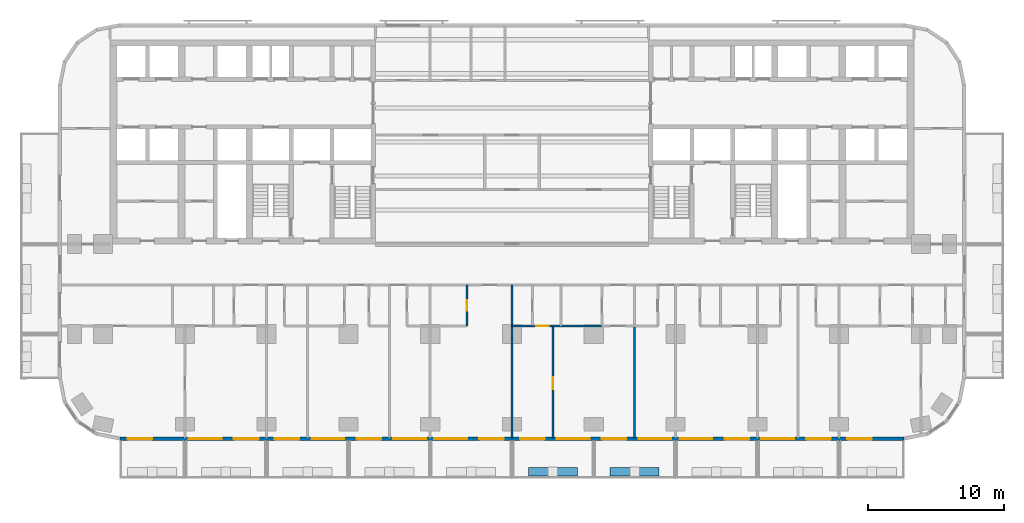
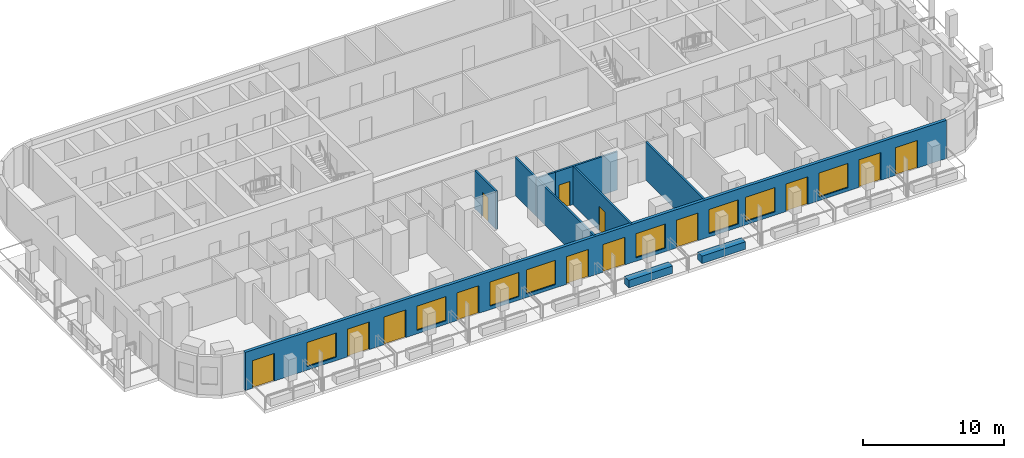
# One storey, part 5 of 15: 13 doors, 10 walls, 8 windows, 21 openings.
"""IFC4 building model written with IfcOpenShell, lengths in metres."""

from ifc_helpers import new_model, si_unit, direction, frame, frame_2d, origin, place, context, subcontext, project, spatial, rectangle, extrude, material, layer, layer_set, type_object, element, fill, save


model = new_model("IFC4")

# Units and contexts
model_context = context("Model", 3, precision=1e-05, world=origin(), true_north=direction((0.0, 1.0)))
body_context = subcontext(model_context, "Body", "Model", "MODEL_VIEW")
ifc_project = project(units=[si_unit("LENGTHUNIT", "METRE"), si_unit("AREAUNIT", "SQUARE_METRE"), si_unit("VOLUMEUNIT", "CUBIC_METRE"), si_unit("PLANEANGLEUNIT", "RADIAN"), si_unit("MASSUNIT", "GRAM", prefix="KILO")], contexts=[model_context])

# Site, building, storey
site_placement = place(None, origin())
site = spatial("IfcSite", under=ifc_project, at=site_placement, CompositionType="ELEMENT")
building_placement = place(site_placement, origin())
building = spatial("IfcBuilding", under=site, at=building_placement, Name="Torana Hotel and Residences", CompositionType="ELEMENT")
storey_placement = place(building_placement, frame((0.0, 0.0, 70.800048828125)))
storey = spatial("IfcBuildingStorey", under=building, at=storey_placement, Name="L17", CompositionType="ELEMENT", Elevation=70.800048828125)

# Wall, openings, doors, windows
ifc_material_1 = material(Name="Black aluminium composite panel", Category="aluminium")
ifc_layer_1 = layer(ifc_material_1, 0.00390625, Name="Cladding", Category="cladding")
ifc_material_2 = material(Name="Ventilated air cavity")
ifc_layer_2 = layer(ifc_material_2, 0.0400390625, Name="Ventilated cavity", Category="cavity")
ifc_material_3 = material(Name="Mineral wool insulation")
ifc_layer_3 = layer(ifc_material_3, 0.090087890625, Name="Insulation", Category="insulation")
ifc_material_4 = material(Name="Steel S280GD", Category="steel")
ifc_layer_4 = layer(ifc_material_4, 0.092041015625, Name="Steel stud frame", Category="structure")
ifc_material_5 = material(Name="Fire rated plasterboard")
ifc_layer_5 = layer(ifc_material_5, 0.011962890625, Name="Inner board", Category="finish")
ifc_layer_6 = layer(ifc_material_5, 0.011962890625, Name="Second board", Category="finish")
ifc_layer_set_1 = layer_set([ifc_layer_1, ifc_layer_2, ifc_layer_3, ifc_layer_4, ifc_layer_5, ifc_layer_6], Name="EW1 EXTERNAL WALL BLACK METAL CLAD 250")
wall_type_1 = type_object("IfcWallType", Name="EW1 EXTERNAL WALL BLACK METAL CLAD 250", PredefinedType="SOLIDWALL", material=ifc_layer_set_1)
wall_1_placement = place(storey_placement, frame((-28.775390625, -29.27490234375, 0.0), z_axis=(0.0, 0.0, 1.0), x_axis=(1.0, 0.0, 0.0)))
wall_1 = element("IfcWall", 1, at=wall_1_placement, inside=storey, type_object=wall_type_1, Name="External wall L17 e0.14", PredefinedType="SOLIDWALL", context=body_context, shape_type="SweptSolid", body=[
    extrude(rectangle(XDim=57.55078125, YDim=0.25, at=frame_2d((28.775390625, 0.0))), origin(), (0.0, 0.0, 1.0), 3.320068359375),
])
opening_1_placement = place(wall_1_placement, frame((0.575439453125, 0.0, 0.0)))
opening_1 = element("IfcOpeningElement", 2, at=opening_1_placement, cuts=wall_1, Name="Opening L17-E01", PredefinedType="OPENING", context=body_context, shape_type="SweptSolid", body=[
    extrude(rectangle(XDim=1.800048828125, YDim=2.39990234375, at=frame_2d((0.89990234375, 1.199951171875))), frame((0.0, 0.135009765625, 0.0), z_axis=(0.0, -1.0, 0.0), x_axis=(1.0, 0.0, 0.0)), (0.0, 0.0, 1.0), 0.27001953125),
])
opening_2_placement = place(wall_1_placement, frame((5.075439453125, 0.0, 0.300048828125)))
opening_2 = element("IfcOpeningElement", 3, at=opening_2_placement, cuts=wall_1, Name="Opening W1", PredefinedType="OPENING", context=body_context, shape_type="SweptSolid", body=[
    extrude(rectangle(XDim=2.39990234375, YDim=2.10009765625, at=frame_2d((1.199951171875, 1.050048828125))), frame((0.0, 0.135009765625, 0.0), z_axis=(0.0, -1.0, 0.0), x_axis=(1.0, 0.0, 0.0)), (0.0, 0.0, 1.0), 0.27001953125),
])
opening_3_placement = place(wall_1_placement, frame((8.37548828125, 0.0, 0.0)))
opening_3 = element("IfcOpeningElement", 4, at=opening_3_placement, cuts=wall_1, Name="Opening L17-E02", PredefinedType="OPENING", context=body_context, shape_type="SweptSolid", body=[
    extrude(rectangle(XDim=1.800048828125, YDim=2.39990234375, at=frame_2d((0.89990234375, 1.199951171875))), frame((0.0, 0.135009765625, 0.0), z_axis=(0.0, -1.0, 0.0), x_axis=(1.0, 0.0, 0.0)), (0.0, 0.0, 1.0), 0.27001953125),
])
opening_4_placement = place(wall_1_placement, frame((11.37548828125, 0.0, 0.0)))
opening_4 = element("IfcOpeningElement", 5, at=opening_4_placement, cuts=wall_1, Name="Opening L17-E03", PredefinedType="OPENING", context=body_context, shape_type="SweptSolid", body=[
    extrude(rectangle(XDim=1.800048828125, YDim=2.39990234375, at=frame_2d((0.89990234375, 1.199951171875))), frame((0.0, 0.135009765625, 0.0), z_axis=(0.0, -1.0, 0.0), x_axis=(1.0, 0.0, 0.0)), (0.0, 0.0, 1.0), 0.27001953125),
])
opening_5_placement = place(wall_1_placement, frame((14.075439453125, 0.0, 0.300048828125)))
opening_5 = element("IfcOpeningElement", 6, at=opening_5_placement, cuts=wall_1, Name="Opening W1", PredefinedType="OPENING", context=body_context, shape_type="SweptSolid", body=[
    extrude(rectangle(XDim=2.39990234375, YDim=2.10009765625, at=frame_2d((1.199951171875, 1.050048828125))), frame((0.0, 0.135009765625, 0.0), z_axis=(0.0, -1.0, 0.0), x_axis=(1.0, 0.0, 0.0)), (0.0, 0.0, 1.0), 0.27001953125),
])
opening_6_placement = place(wall_1_placement, frame((17.37548828125, 0.0, 0.0)))
opening_6 = element("IfcOpeningElement", 7, at=opening_6_placement, cuts=wall_1, Name="Opening L17-E04", PredefinedType="OPENING", context=body_context, shape_type="SweptSolid", body=[
    extrude(rectangle(XDim=1.800048828125, YDim=2.39990234375, at=frame_2d((0.89990234375, 1.199951171875))), frame((0.0, 0.135009765625, 0.0), z_axis=(0.0, -1.0, 0.0), x_axis=(1.0, 0.0, 0.0)), (0.0, 0.0, 1.0), 0.27001953125),
])
opening_7_placement = place(wall_1_placement, frame((20.075439453125, 0.0, 0.300048828125)))
opening_7 = element("IfcOpeningElement", 8, at=opening_7_placement, cuts=wall_1, Name="Opening W1", PredefinedType="OPENING", context=body_context, shape_type="SweptSolid", body=[
    extrude(rectangle(XDim=2.39990234375, YDim=2.10009765625, at=frame_2d((1.199951171875, 1.050048828125))), frame((0.0, 0.135009765625, 0.0), z_axis=(0.0, -1.0, 0.0), x_axis=(1.0, 0.0, 0.0)), (0.0, 0.0, 1.0), 0.27001953125),
])
opening_8_placement = place(wall_1_placement, frame((23.075439453125, 0.0, 0.300048828125)))
opening_8 = element("IfcOpeningElement", 9, at=opening_8_placement, cuts=wall_1, Name="Opening W1", PredefinedType="OPENING", context=body_context, shape_type="SweptSolid", body=[
    extrude(rectangle(XDim=2.39990234375, YDim=2.10009765625, at=frame_2d((1.199951171875, 1.050048828125))), frame((0.0, 0.135009765625, 0.0), z_axis=(0.0, -1.0, 0.0), x_axis=(1.0, 0.0, 0.0)), (0.0, 0.0, 1.0), 0.27001953125),
])
opening_9_placement = place(wall_1_placement, frame((26.37548828125, 0.0, 0.0)))
opening_9 = element("IfcOpeningElement", 10, at=opening_9_placement, cuts=wall_1, Name="Opening L17-E05", PredefinedType="OPENING", context=body_context, shape_type="SweptSolid", body=[
    extrude(rectangle(XDim=1.800048828125, YDim=2.39990234375, at=frame_2d((0.89990234375, 1.199951171875))), frame((0.0, 0.135009765625, 0.0), z_axis=(0.0, -1.0, 0.0), x_axis=(1.0, 0.0, 0.0)), (0.0, 0.0, 1.0), 0.27001953125),
])
opening_10_placement = place(wall_1_placement, frame((29.37548828125, 0.0, 0.0)))
opening_10 = element("IfcOpeningElement", 11, at=opening_10_placement, cuts=wall_1, Name="Opening L17-E06", PredefinedType="OPENING", context=body_context, shape_type="SweptSolid", body=[
    extrude(rectangle(XDim=1.800048828125, YDim=2.39990234375, at=frame_2d((0.89990234375, 1.199951171875))), frame((0.0, 0.135009765625, 0.0), z_axis=(0.0, -1.0, 0.0), x_axis=(1.0, 0.0, 0.0)), (0.0, 0.0, 1.0), 0.27001953125),
])
opening_11_placement = place(wall_1_placement, frame((32.075439453125, 0.0, 0.300048828125)))
opening_11 = element("IfcOpeningElement", 12, at=opening_11_placement, cuts=wall_1, Name="Opening W1", PredefinedType="OPENING", context=body_context, shape_type="SweptSolid", body=[
    extrude(rectangle(XDim=2.39990234375, YDim=2.10009765625, at=frame_2d((1.199951171875, 1.050048828125))), frame((0.0, 0.135009765625, 0.0), z_axis=(0.0, -1.0, 0.0), x_axis=(1.0, 0.0, 0.0)), (0.0, 0.0, 1.0), 0.27001953125),
])
opening_12_placement = place(wall_1_placement, frame((35.37548828125, 0.0, 0.0)))
opening_12 = element("IfcOpeningElement", 13, at=opening_12_placement, cuts=wall_1, Name="Opening L17-E07", PredefinedType="OPENING", context=body_context, shape_type="SweptSolid", body=[
    extrude(rectangle(XDim=1.800048828125, YDim=2.39990234375, at=frame_2d((0.89990234375, 1.199951171875))), frame((0.0, 0.135009765625, 0.0), z_axis=(0.0, -1.0, 0.0), x_axis=(1.0, 0.0, 0.0)), (0.0, 0.0, 1.0), 0.27001953125),
])
opening_13_placement = place(wall_1_placement, frame((38.075439453125, 0.0, 0.300048828125)))
opening_13 = element("IfcOpeningElement", 14, at=opening_13_placement, cuts=wall_1, Name="Opening W1", PredefinedType="OPENING", context=body_context, shape_type="SweptSolid", body=[
    extrude(rectangle(XDim=2.39990234375, YDim=2.10009765625, at=frame_2d((1.199951171875, 1.050048828125))), frame((0.0, 0.135009765625, 0.0), z_axis=(0.0, -1.0, 0.0), x_axis=(1.0, 0.0, 0.0)), (0.0, 0.0, 1.0), 0.27001953125),
])
opening_14_placement = place(wall_1_placement, frame((41.075439453125, 0.0, 0.300048828125)))
opening_14 = element("IfcOpeningElement", 15, at=opening_14_placement, cuts=wall_1, Name="Opening W1", PredefinedType="OPENING", context=body_context, shape_type="SweptSolid", body=[
    extrude(rectangle(XDim=2.39990234375, YDim=2.10009765625, at=frame_2d((1.199951171875, 1.050048828125))), frame((0.0, 0.135009765625, 0.0), z_axis=(0.0, -1.0, 0.0), x_axis=(1.0, 0.0, 0.0)), (0.0, 0.0, 1.0), 0.27001953125),
])
opening_15_placement = place(wall_1_placement, frame((44.37548828125, 0.0, 0.0)))
opening_15 = element("IfcOpeningElement", 16, at=opening_15_placement, cuts=wall_1, Name="Opening L17-E08", PredefinedType="OPENING", context=body_context, shape_type="SweptSolid", body=[
    extrude(rectangle(XDim=1.800048828125, YDim=2.39990234375, at=frame_2d((0.89990234375, 1.199951171875))), frame((0.0, 0.135009765625, 0.0), z_axis=(0.0, -1.0, 0.0), x_axis=(1.0, 0.0, 0.0)), (0.0, 0.0, 1.0), 0.27001953125),
])
opening_16_placement = place(wall_1_placement, frame((47.075439453125, 0.0, 0.300048828125)))
opening_16 = element("IfcOpeningElement", 17, at=opening_16_placement, cuts=wall_1, Name="Opening W1", PredefinedType="OPENING", context=body_context, shape_type="SweptSolid", body=[
    extrude(rectangle(XDim=2.39990234375, YDim=2.10009765625, at=frame_2d((1.199951171875, 1.050048828125))), frame((0.0, 0.135009765625, 0.0), z_axis=(0.0, -1.0, 0.0), x_axis=(1.0, 0.0, 0.0)), (0.0, 0.0, 1.0), 0.27001953125),
])
opening_17_placement = place(wall_1_placement, frame((50.37548828125, 0.0, 0.0)))
opening_17 = element("IfcOpeningElement", 18, at=opening_17_placement, cuts=wall_1, Name="Opening L17-E09", PredefinedType="OPENING", context=body_context, shape_type="SweptSolid", body=[
    extrude(rectangle(XDim=1.800048828125, YDim=2.39990234375, at=frame_2d((0.89990234375, 1.199951171875))), frame((0.0, 0.135009765625, 0.0), z_axis=(0.0, -1.0, 0.0), x_axis=(1.0, 0.0, 0.0)), (0.0, 0.0, 1.0), 0.27001953125),
])
opening_18_placement = place(wall_1_placement, frame((53.37548828125, 0.0, 0.0)))
opening_18 = element("IfcOpeningElement", 19, at=opening_18_placement, cuts=wall_1, Name="Opening L17-E10", PredefinedType="OPENING", context=body_context, shape_type="SweptSolid", body=[
    extrude(rectangle(XDim=1.800048828125, YDim=2.39990234375, at=frame_2d((0.89990234375, 1.199951171875))), frame((0.0, 0.135009765625, 0.0), z_axis=(0.0, -1.0, 0.0), x_axis=(1.0, 0.0, 0.0)), (0.0, 0.0, 1.0), 0.27001953125),
])
ifc_material_6 = material(Name="Dark glass in black aluminium frame", Category="aluminium")
door_type_1 = type_object("IfcDoorType", Name="DB1 BALCONY DOOR 1800x2400", OperationType="DOUBLE_DOOR_SINGLE_SWING", PredefinedType="DOOR", material=ifc_material_6)
door_1_placement = place(opening_1_placement, origin())
door_1 = element("IfcDoor", 20, at=door_1_placement, inside=storey, type_object=door_type_1, Name="Balcony door L17", OperationType="DOUBLE_DOOR_SINGLE_SWING", OverallHeight=2.39990234375, OverallWidth=1.800048828125, PredefinedType="DOOR", context=body_context, shape_type="SweptSolid", body=[
    extrude(rectangle(XDim=1.800048828125, YDim=2.39990234375, at=frame_2d((0.89990234375, 1.199951171875))), frame((0.0, 0.02490234375, 0.0), z_axis=(0.0, -1.0, 0.0), x_axis=(1.0, 0.0, 0.0)), (0.0, 0.0, 1.0), 0.050048828125),
])
fill(opening_1, door_1)
door_2_placement = place(opening_3_placement, frame((0.89990234375, 0.0, 0.0), z_axis=(0.0, 0.0, 1.0), x_axis=(-1.0, 0.0, 0.0)))
door_2 = element("IfcDoor", 21, at=door_2_placement, inside=storey, type_object=door_type_1, Name="Balcony door L17", OperationType="DOUBLE_DOOR_SINGLE_SWING", OverallHeight=2.39990234375, OverallWidth=1.800048828125, PredefinedType="DOOR", context=body_context, shape_type="SweptSolid", body=[
    extrude(rectangle(XDim=1.800048828125, YDim=2.39990234375, at=frame_2d((0.0, 1.199951171875))), frame((0.0, -0.02490234375, 0.0), z_axis=(0.0, 1.0, 0.0), x_axis=(-1.0, 0.0, 0.0)), (0.0, 0.0, 1.0), 0.050048828125),
])
fill(opening_3, door_2)
door_3_placement = place(opening_4_placement, frame((0.89990234375, 0.0, 0.0), z_axis=(0.0, 0.0, 1.0), x_axis=(-1.0, 0.0, 0.0)))
door_3 = element("IfcDoor", 22, at=door_3_placement, inside=storey, type_object=door_type_1, Name="Balcony door L17", OperationType="DOUBLE_DOOR_SINGLE_SWING", OverallHeight=2.39990234375, OverallWidth=1.800048828125, PredefinedType="DOOR", context=body_context, shape_type="SweptSolid", body=[
    extrude(rectangle(XDim=1.800048828125, YDim=2.39990234375, at=frame_2d((0.0, 1.199951171875))), frame((0.0, -0.02490234375, 0.0), z_axis=(0.0, 1.0, 0.0), x_axis=(-1.0, 0.0, 0.0)), (0.0, 0.0, 1.0), 0.050048828125),
])
fill(opening_4, door_3)
door_4_placement = place(opening_6_placement, frame((0.89990234375, 0.0, 0.0), z_axis=(0.0, 0.0, 1.0), x_axis=(-1.0, 0.0, 0.0)))
door_4 = element("IfcDoor", 23, at=door_4_placement, inside=storey, type_object=door_type_1, Name="Balcony door L17", OperationType="DOUBLE_DOOR_SINGLE_SWING", OverallHeight=2.39990234375, OverallWidth=1.800048828125, PredefinedType="DOOR", context=body_context, shape_type="SweptSolid", body=[
    extrude(rectangle(XDim=1.800048828125, YDim=2.39990234375, at=frame_2d((0.0, 1.199951171875))), frame((0.0, -0.02490234375, 0.0), z_axis=(0.0, 1.0, 0.0), x_axis=(-1.0, 0.0, 0.0)), (0.0, 0.0, 1.0), 0.050048828125),
])
fill(opening_6, door_4)
door_5_placement = place(opening_9_placement, frame((0.89990234375, 0.0, 0.0), z_axis=(0.0, 0.0, 1.0), x_axis=(-1.0, 0.0, 0.0)))
door_5 = element("IfcDoor", 24, at=door_5_placement, inside=storey, type_object=door_type_1, Name="Balcony door L17", OperationType="DOUBLE_DOOR_SINGLE_SWING", OverallHeight=2.39990234375, OverallWidth=1.800048828125, PredefinedType="DOOR", context=body_context, shape_type="SweptSolid", body=[
    extrude(rectangle(XDim=1.800048828125, YDim=2.39990234375, at=frame_2d((0.0, 1.199951171875))), frame((0.0, -0.02490234375, 0.0), z_axis=(0.0, 1.0, 0.0), x_axis=(-1.0, 0.0, 0.0)), (0.0, 0.0, 1.0), 0.050048828125),
])
fill(opening_9, door_5)
door_6_placement = place(opening_10_placement, frame((0.89990234375, 0.0, 0.0), z_axis=(0.0, 0.0, 1.0), x_axis=(-1.0, 0.0, 0.0)))
door_6 = element("IfcDoor", 25, at=door_6_placement, inside=storey, type_object=door_type_1, Name="Balcony door L17", OperationType="DOUBLE_DOOR_SINGLE_SWING", OverallHeight=2.39990234375, OverallWidth=1.800048828125, PredefinedType="DOOR", context=body_context, shape_type="SweptSolid", body=[
    extrude(rectangle(XDim=1.800048828125, YDim=2.39990234375, at=frame_2d((0.0, 1.199951171875))), frame((0.0, -0.02490234375, 0.0), z_axis=(0.0, 1.0, 0.0), x_axis=(-1.0, 0.0, 0.0)), (0.0, 0.0, 1.0), 0.050048828125),
])
fill(opening_10, door_6)
door_7_placement = place(opening_12_placement, frame((0.89990234375, 0.0, 0.0), z_axis=(0.0, 0.0, 1.0), x_axis=(-1.0, 0.0, 0.0)))
door_7 = element("IfcDoor", 26, at=door_7_placement, inside=storey, type_object=door_type_1, Name="Balcony door L17", OperationType="DOUBLE_DOOR_SINGLE_SWING", OverallHeight=2.39990234375, OverallWidth=1.800048828125, PredefinedType="DOOR", context=body_context, shape_type="SweptSolid", body=[
    extrude(rectangle(XDim=1.800048828125, YDim=2.39990234375, at=frame_2d((0.0, 1.199951171875))), frame((0.0, -0.02490234375, 0.0), z_axis=(0.0, 1.0, 0.0), x_axis=(-1.0, 0.0, 0.0)), (0.0, 0.0, 1.0), 0.050048828125),
])
fill(opening_12, door_7)
door_8_placement = place(opening_15_placement, frame((0.89990234375, 0.0, 0.0), z_axis=(0.0, 0.0, 1.0), x_axis=(-1.0, 0.0, 0.0)))
door_8 = element("IfcDoor", 27, at=door_8_placement, inside=storey, type_object=door_type_1, Name="Balcony door L17", OperationType="DOUBLE_DOOR_SINGLE_SWING", OverallHeight=2.39990234375, OverallWidth=1.800048828125, PredefinedType="DOOR", context=body_context, shape_type="SweptSolid", body=[
    extrude(rectangle(XDim=1.800048828125, YDim=2.39990234375, at=frame_2d((0.0, 1.199951171875))), frame((0.0, -0.02490234375, 0.0), z_axis=(0.0, 1.0, 0.0), x_axis=(-1.0, 0.0, 0.0)), (0.0, 0.0, 1.0), 0.050048828125),
])
fill(opening_15, door_8)
door_9_placement = place(opening_17_placement, frame((0.89990234375, 0.0, 0.0), z_axis=(0.0, 0.0, 1.0), x_axis=(-1.0, 0.0, 0.0)))
door_9 = element("IfcDoor", 28, at=door_9_placement, inside=storey, type_object=door_type_1, Name="Balcony door L17", OperationType="DOUBLE_DOOR_SINGLE_SWING", OverallHeight=2.39990234375, OverallWidth=1.800048828125, PredefinedType="DOOR", context=body_context, shape_type="SweptSolid", body=[
    extrude(rectangle(XDim=1.800048828125, YDim=2.39990234375, at=frame_2d((0.0, 1.199951171875))), frame((0.0, -0.02490234375, 0.0), z_axis=(0.0, 1.0, 0.0), x_axis=(-1.0, 0.0, 0.0)), (0.0, 0.0, 1.0), 0.050048828125),
])
fill(opening_17, door_9)
door_10_placement = place(opening_18_placement, frame((0.89990234375, 0.0, 0.0), z_axis=(0.0, 0.0, 1.0), x_axis=(-1.0, 0.0, 0.0)))
door_10 = element("IfcDoor", 29, at=door_10_placement, inside=storey, type_object=door_type_1, Name="Balcony door L17", OperationType="DOUBLE_DOOR_SINGLE_SWING", OverallHeight=2.39990234375, OverallWidth=1.800048828125, PredefinedType="DOOR", context=body_context, shape_type="SweptSolid", body=[
    extrude(rectangle(XDim=1.800048828125, YDim=2.39990234375, at=frame_2d((0.0, 1.199951171875))), frame((0.0, -0.02490234375, 0.0), z_axis=(0.0, 1.0, 0.0), x_axis=(-1.0, 0.0, 0.0)), (0.0, 0.0, 1.0), 0.050048828125),
])
fill(opening_18, door_10)
ifc_material_7 = material(Name="Dark glass in black aluminium frame", Category="aluminium")
window_type = type_object("IfcWindowType", Name="W1 HOTEL ROOM WINDOW 2400x2100", PartitioningType="SINGLE_PANEL", PredefinedType="WINDOW", material=ifc_material_7)
window_1_placement = place(opening_2_placement, origin())
window_1 = element("IfcWindow", 30, at=window_1_placement, inside=storey, type_object=window_type, Name="Window L17", OverallHeight=2.10009765625, OverallWidth=2.39990234375, PartitioningType="SINGLE_PANEL", PredefinedType="WINDOW", context=body_context, shape_type="SweptSolid", body=[
    extrude(rectangle(XDim=2.39990234375, YDim=2.10009765625, at=frame_2d((1.199951171875, 1.050048828125))), frame((0.0, 0.030029296875, 0.0), z_axis=(0.0, -1.0, 0.0), x_axis=(1.0, 0.0, 0.0)), (0.0, 0.0, 1.0), 0.06005859375),
])
fill(opening_2, window_1)
window_2_placement = place(opening_5_placement, origin())
window_2 = element("IfcWindow", 31, at=window_2_placement, inside=storey, type_object=window_type, Name="Window L17", OverallHeight=2.10009765625, OverallWidth=2.39990234375, PartitioningType="SINGLE_PANEL", PredefinedType="WINDOW", context=body_context, shape_type="SweptSolid", body=[
    extrude(rectangle(XDim=2.39990234375, YDim=2.10009765625, at=frame_2d((1.199951171875, 1.050048828125))), frame((0.0, 0.030029296875, 0.0), z_axis=(0.0, -1.0, 0.0), x_axis=(1.0, 0.0, 0.0)), (0.0, 0.0, 1.0), 0.06005859375),
])
fill(opening_5, window_2)
window_3_placement = place(opening_7_placement, origin())
window_3 = element("IfcWindow", 32, at=window_3_placement, inside=storey, type_object=window_type, Name="Window L17", OverallHeight=2.10009765625, OverallWidth=2.39990234375, PartitioningType="SINGLE_PANEL", PredefinedType="WINDOW", context=body_context, shape_type="SweptSolid", body=[
    extrude(rectangle(XDim=2.39990234375, YDim=2.10009765625, at=frame_2d((1.199951171875, 1.050048828125))), frame((0.0, 0.030029296875, 0.0), z_axis=(0.0, -1.0, 0.0), x_axis=(1.0, 0.0, 0.0)), (0.0, 0.0, 1.0), 0.06005859375),
])
fill(opening_7, window_3)
window_4_placement = place(opening_8_placement, origin())
window_4 = element("IfcWindow", 33, at=window_4_placement, inside=storey, type_object=window_type, Name="Window L17", OverallHeight=2.10009765625, OverallWidth=2.39990234375, PartitioningType="SINGLE_PANEL", PredefinedType="WINDOW", context=body_context, shape_type="SweptSolid", body=[
    extrude(rectangle(XDim=2.39990234375, YDim=2.10009765625, at=frame_2d((1.199951171875, 1.050048828125))), frame((0.0, 0.030029296875, 0.0), z_axis=(0.0, -1.0, 0.0), x_axis=(1.0, 0.0, 0.0)), (0.0, 0.0, 1.0), 0.06005859375),
])
fill(opening_8, window_4)
window_5_placement = place(opening_11_placement, origin())
window_5 = element("IfcWindow", 34, at=window_5_placement, inside=storey, type_object=window_type, Name="Window L17", OverallHeight=2.10009765625, OverallWidth=2.39990234375, PartitioningType="SINGLE_PANEL", PredefinedType="WINDOW", context=body_context, shape_type="SweptSolid", body=[
    extrude(rectangle(XDim=2.39990234375, YDim=2.10009765625, at=frame_2d((1.199951171875, 1.050048828125))), frame((0.0, 0.030029296875, 0.0), z_axis=(0.0, -1.0, 0.0), x_axis=(1.0, 0.0, 0.0)), (0.0, 0.0, 1.0), 0.06005859375),
])
fill(opening_11, window_5)
window_6_placement = place(opening_13_placement, origin())
window_6 = element("IfcWindow", 35, at=window_6_placement, inside=storey, type_object=window_type, Name="Window L17", OverallHeight=2.10009765625, OverallWidth=2.39990234375, PartitioningType="SINGLE_PANEL", PredefinedType="WINDOW", context=body_context, shape_type="SweptSolid", body=[
    extrude(rectangle(XDim=2.39990234375, YDim=2.10009765625, at=frame_2d((1.199951171875, 1.050048828125))), frame((0.0, 0.030029296875, 0.0), z_axis=(0.0, -1.0, 0.0), x_axis=(1.0, 0.0, 0.0)), (0.0, 0.0, 1.0), 0.06005859375),
])
fill(opening_13, window_6)
window_7_placement = place(opening_14_placement, origin())
window_7 = element("IfcWindow", 36, at=window_7_placement, inside=storey, type_object=window_type, Name="Window L17", OverallHeight=2.10009765625, OverallWidth=2.39990234375, PartitioningType="SINGLE_PANEL", PredefinedType="WINDOW", context=body_context, shape_type="SweptSolid", body=[
    extrude(rectangle(XDim=2.39990234375, YDim=2.10009765625, at=frame_2d((1.199951171875, 1.050048828125))), frame((0.0, 0.030029296875, 0.0), z_axis=(0.0, -1.0, 0.0), x_axis=(1.0, 0.0, 0.0)), (0.0, 0.0, 1.0), 0.06005859375),
])
fill(opening_14, window_7)
window_8_placement = place(opening_16_placement, origin())
window_8 = element("IfcWindow", 37, at=window_8_placement, inside=storey, type_object=window_type, Name="Window L17", OverallHeight=2.10009765625, OverallWidth=2.39990234375, PartitioningType="SINGLE_PANEL", PredefinedType="WINDOW", context=body_context, shape_type="SweptSolid", body=[
    extrude(rectangle(XDim=2.39990234375, YDim=2.10009765625, at=frame_2d((1.199951171875, 1.050048828125))), frame((0.0, 0.030029296875, 0.0), z_axis=(0.0, -1.0, 0.0), x_axis=(1.0, 0.0, 0.0)), (0.0, 0.0, 1.0), 0.06005859375),
])
fill(opening_16, window_8)

# Wall
ifc_material_8 = material(Name="Gypsum plasterboard")
ifc_layer_7 = layer(ifc_material_8, 0.012451171875, Name="Plasterboard", Category="finish")
ifc_layer_8 = layer(ifc_material_8, 0.012451171875, Name="Plasterboard", Category="finish")
ifc_layer_9 = layer(ifc_material_4, 0.10009765625, Name="Steel studs with mineral wool", Category="insulation")
ifc_layer_10 = layer(ifc_material_8, 0.012451171875, Name="Plasterboard", Category="finish")
ifc_layer_11 = layer(ifc_material_8, 0.012451171875, Name="Plasterboard", Category="finish")
ifc_layer_set_2 = layer_set([ifc_layer_7, ifc_layer_8, ifc_layer_9, ifc_layer_10, ifc_layer_11], Name="PARTITION 150 PLASTERBOARD")
wall_type_2 = type_object("IfcWallType", Name="PARTITION 150 PLASTERBOARD", PredefinedType="PARTITIONING", material=ifc_layer_set_2)
wall_2_placement = place(storey_placement, frame((9.0, -29.219970703125, 0.0), z_axis=(0.0, 0.0, 1.0), x_axis=(0.0, 1.0, 0.0)))
element("IfcWall", 38, at=wall_2_placement, inside=storey, type_object=wall_type_2, Name="Partition L17", PredefinedType="PARTITIONING", context=body_context, shape_type="SweptSolid", body=[
    extrude(rectangle(XDim=8.219970703125, YDim=0.14990234375, at=frame_2d((4.10986328125, 0.0))), origin(), (0.0, 0.0, 1.0), 3.320068359375),
])

# Wall, opening, door
wall_3_placement = place(storey_placement, frame((3.0, -29.219970703125, 0.0), z_axis=(0.0, 0.0, 1.0), x_axis=(0.0, 1.0, 0.0)))
wall_3 = element("IfcWall", 39, at=wall_3_placement, inside=storey, type_object=wall_type_2, Name="Partition L17", PredefinedType="PARTITIONING", context=body_context, shape_type="SweptSolid", body=[
    extrude(rectangle(XDim=8.219970703125, YDim=0.14990234375, at=frame_2d((4.10986328125, 0.0))), origin(), (0.0, 0.0, 1.0), 3.320068359375),
])
opening_19_placement = place(wall_3_placement, frame((3.570068359375, 0.0, 0.0)))
opening_19 = element("IfcOpeningElement", 40, at=opening_19_placement, cuts=wall_3, Name="Opening L17-70", PredefinedType="OPENING", context=body_context, shape_type="SweptSolid", body=[
    extrude(rectangle(XDim=0.89990234375, YDim=2.10009765625, at=frame_2d((0.449951171875, 1.050048828125))), frame((0.0, 0.0849609375, 0.0), z_axis=(0.0, -1.0, 0.0), x_axis=(1.0, 0.0, 0.0)), (0.0, 0.0, 1.0), 0.169921875),
])
ifc_material_9 = material(Name="Timber door, oiled ash", Category="wood")
door_type_2 = type_object("IfcDoorType", Name="ROOM DOOR D7 900x2100", OperationType="SINGLE_SWING_LEFT", PredefinedType="DOOR", material=ifc_material_9)
door_11_placement = place(opening_19_placement, origin())
door_11 = element("IfcDoor", 41, at=door_11_placement, inside=storey, type_object=door_type_2, Name="Door L17", OperationType="SINGLE_SWING_RIGHT", OverallHeight=2.10009765625, OverallWidth=0.89990234375, PredefinedType="DOOR", context=body_context, shape_type="SweptSolid", body=[
    extrude(rectangle(XDim=0.89990234375, YDim=2.10009765625, at=frame_2d((0.449951171875, 1.050048828125))), frame((0.0, 0.02490234375, 0.0), z_axis=(0.0, -1.0, 0.0), x_axis=(1.0, 0.0, 0.0)), (0.0, 0.0, 1.0), 0.050048828125),
])
fill(opening_19, door_11)

# Wall
wall_4_placement = place(storey_placement, frame((0.0, -29.219970703125, 0.0), z_axis=(0.0, 0.0, 1.0), x_axis=(0.0, 1.0, 0.0)))
element("IfcWall", 42, at=wall_4_placement, inside=storey, type_object=wall_type_2, Name="Partition L17", PredefinedType="PARTITIONING", context=body_context, shape_type="SweptSolid", body=[
    extrude(rectangle(XDim=8.219970703125, YDim=0.14990234375, at=frame_2d((4.10986328125, 0.0))), origin(), (0.0, 0.0, 1.0), 3.320068359375),
])

# Wall, opening, door
wall_5_placement = place(storey_placement, frame((-3.300048828125, -21.0, 0.0), z_axis=(0.0, 0.0, 1.0), x_axis=(0.0, 1.0, 0.0)))
wall_5 = element("IfcWall", 43, at=wall_5_placement, inside=storey, type_object=wall_type_2, Name="Partition L17", PredefinedType="PARTITIONING", context=body_context, shape_type="SweptSolid", body=[
    extrude(rectangle(XDim=3.0, YDim=0.14990234375, at=frame_2d((1.5, 0.0))), origin(), (0.0, 0.0, 1.0), 3.320068359375),
])
opening_20_placement = place(wall_5_placement, frame((1.10009765625, 0.0, 0.0)))
opening_20 = element("IfcOpeningElement", 44, at=opening_20_placement, cuts=wall_5, Name="Opening L17-65", PredefinedType="OPENING", context=body_context, shape_type="SweptSolid", body=[
    extrude(rectangle(XDim=0.800048828125, YDim=2.10009765625, at=frame_2d((0.39990234375, 1.050048828125))), frame((0.0, 0.0849609375, 0.0), z_axis=(0.0, -1.0, 0.0), x_axis=(1.0, 0.0, 0.0)), (0.0, 0.0, 1.0), 0.169921875),
])
ifc_material_10 = material(Name="Timber door, painted", Category="wood")
door_type_3 = type_object("IfcDoorType", Name="BATH DOOR D13 800x2100", OperationType="SINGLE_SWING_LEFT", PredefinedType="DOOR", material=ifc_material_10)
door_12_placement = place(opening_20_placement, origin())
door_12 = element("IfcDoor", 45, at=door_12_placement, inside=storey, type_object=door_type_3, Name="Door L17", OperationType="SINGLE_SWING_RIGHT", OverallHeight=2.10009765625, OverallWidth=0.800048828125, PredefinedType="DOOR", context=body_context, shape_type="SweptSolid", body=[
    extrude(rectangle(XDim=0.800048828125, YDim=2.10009765625, at=frame_2d((0.39990234375, 1.050048828125))), frame((0.0, 0.02490234375, 0.0), z_axis=(0.0, -1.0, 0.0), x_axis=(1.0, 0.0, 0.0)), (0.0, 0.0, 1.0), 0.050048828125),
])
fill(opening_20, door_12)

wall_6_placement = place(storey_placement, frame((1.5, -21.0, 0.0), z_axis=(0.0, 0.0, 1.0), x_axis=(1.0, 0.0, 0.0)))
wall_6 = element("IfcWall", 46, at=wall_6_placement, inside=storey, type_object=wall_type_2, Name="Partition L17", PredefinedType="PARTITIONING", context=body_context, shape_type="SweptSolid", body=[
    extrude(rectangle(XDim=5.10009765625, YDim=0.14990234375, at=frame_2d((2.550048828125, 0.0))), origin(), (0.0, 0.0, 1.0), 3.320068359375),
])
opening_21_placement = place(wall_6_placement, frame((0.280029296875, 0.0, 0.0)))
opening_21 = element("IfcOpeningElement", 47, at=opening_21_placement, cuts=wall_6, Name="Opening L17-67", PredefinedType="OPENING", context=body_context, shape_type="SweptSolid", body=[
    extrude(rectangle(XDim=0.89990234375, YDim=2.10009765625, at=frame_2d((0.449951171875, 1.050048828125))), frame((0.0, 0.0849609375, 0.0), z_axis=(0.0, -1.0, 0.0), x_axis=(1.0, 0.0, 0.0)), (0.0, 0.0, 1.0), 0.169921875),
])
door_13_placement = place(opening_21_placement, origin())
door_13 = element("IfcDoor", 48, at=door_13_placement, inside=storey, type_object=door_type_2, Name="Door L17", OperationType="SINGLE_SWING_RIGHT", OverallHeight=2.10009765625, OverallWidth=0.89990234375, PredefinedType="DOOR", context=body_context, shape_type="SweptSolid", body=[
    extrude(rectangle(XDim=0.89990234375, YDim=2.10009765625, at=frame_2d((0.449951171875, 1.050048828125))), frame((0.0, 0.02490234375, 0.0), z_axis=(0.0, -1.0, 0.0), x_axis=(1.0, 0.0, 0.0)), (0.0, 0.0, 1.0), 0.050048828125),
])
fill(opening_21, door_13)

# Walls
ifc_material_11 = material(Name="Concrete C40/50 precast", Category="concrete")
ifc_layer_12 = layer(ifc_material_11, 0.10009765625, Name="Planter shell", Category="structure")
ifc_material_12 = material(Name="Root resistant membrane")
ifc_layer_13 = layer(ifc_material_12, 0.00390625, Name="Waterproofing membrane", Category="membrane")
ifc_material_13 = material(Name="Drainage board with filter fleece")
ifc_layer_14 = layer(ifc_material_13, 0.02001953125, Name="Drainage board", Category="drainage")
ifc_material_14 = material(Name="Growing medium")
ifc_layer_15 = layer(ifc_material_14, 0.47607421875, Name="Planting substrate", Category="soil")
ifc_layer_set_3 = layer_set([ifc_layer_12, ifc_layer_13, ifc_layer_14, ifc_layer_15], Name="PL1 BALCONY PLANTER 600")
wall_type_3 = type_object("IfcWallType", Name="PL1 BALCONY PLANTER 600", PredefinedType="USERDEFINED", material=ifc_layer_set_3)
for number, where, z_axis, x_axis, name in (
    (49, (4.800048828125, -31.699951171875, 0.0), (0.0, 0.0, 1.0), (-1.0, 0.0, 0.0), "Planter 06"),
    (50, (10.800048828125, -31.699951171875, 0.0), (0.0, 0.0, 1.0), (-1.0, 0.0, 0.0), "Planter 07"),
):
    element("IfcWall", number, at=place(storey_placement, frame(where, z_axis=z_axis, x_axis=x_axis)), inside=storey, type_object=wall_type_3, Name=name, ObjectType="PLANTER", PredefinedType="USERDEFINED", context=body_context, shape_type="SweptSolid", body=[
        extrude(rectangle(XDim=3.60009765625, YDim=0.60009765625, at=frame_2d((1.800048828125, 0.0))), origin(), (0.0, 0.0, 1.0), 0.64990234375),
    ])
ifc_material_15 = material(Name="Ceramic tile on adhesive")
ifc_layer_16 = layer(ifc_material_15, 0.010009765625, Name="Wall tile", Category="finish")
ifc_material_16 = material(Name="Cement render")
ifc_layer_17 = layer(ifc_material_16, 0.010009765625, Name="Render", Category="finish")
ifc_material_17 = material(Name="Concrete blockwork", Category="masonry")
ifc_layer_18 = layer(ifc_material_17, 0.110107421875, Name="Blockwork", Category="structure")
ifc_layer_19 = layer(ifc_material_16, 0.010009765625, Name="Render", Category="finish")
ifc_layer_20 = layer(ifc_material_15, 0.010009765625, Name="Wall tile", Category="finish")
ifc_layer_set_4 = layer_set([ifc_layer_16, ifc_layer_17, ifc_layer_18, ifc_layer_19, ifc_layer_20], Name="WC PARTITION 150")
wall_type_4 = type_object("IfcWallType", Name="WC PARTITION 150", PredefinedType="PLUMBINGWALL", material=ifc_layer_set_4)
wall_7_placement = place(storey_placement, frame((0.0, -21.0, 0.0), z_axis=(0.0, 0.0, 1.0), x_axis=(0.0, 1.0, 0.0)))
element("IfcWall", 51, at=wall_7_placement, inside=storey, type_object=wall_type_4, Name="Partition L17", PredefinedType="PLUMBINGWALL", context=body_context, shape_type="SweptSolid", body=[
    extrude(rectangle(XDim=3.0, YDim=0.14990234375, at=frame_2d((1.5, 0.0))), origin(), (0.0, 0.0, 1.0), 3.320068359375),
])
wall_8_placement = place(storey_placement, frame((0.0, -21.0, 0.0), z_axis=(0.0, 0.0, 1.0), x_axis=(1.0, 0.0, 0.0)))
element("IfcWall", 52, at=wall_8_placement, inside=storey, type_object=wall_type_4, Name="Partition L17", PredefinedType="PLUMBINGWALL", context=body_context, shape_type="SweptSolid", body=[
    extrude(rectangle(XDim=1.5, YDim=0.14990234375, at=frame_2d((0.75, 0.0))), origin(), (0.0, 0.0, 1.0), 3.320068359375),
])

save(model, "model.ifc")
